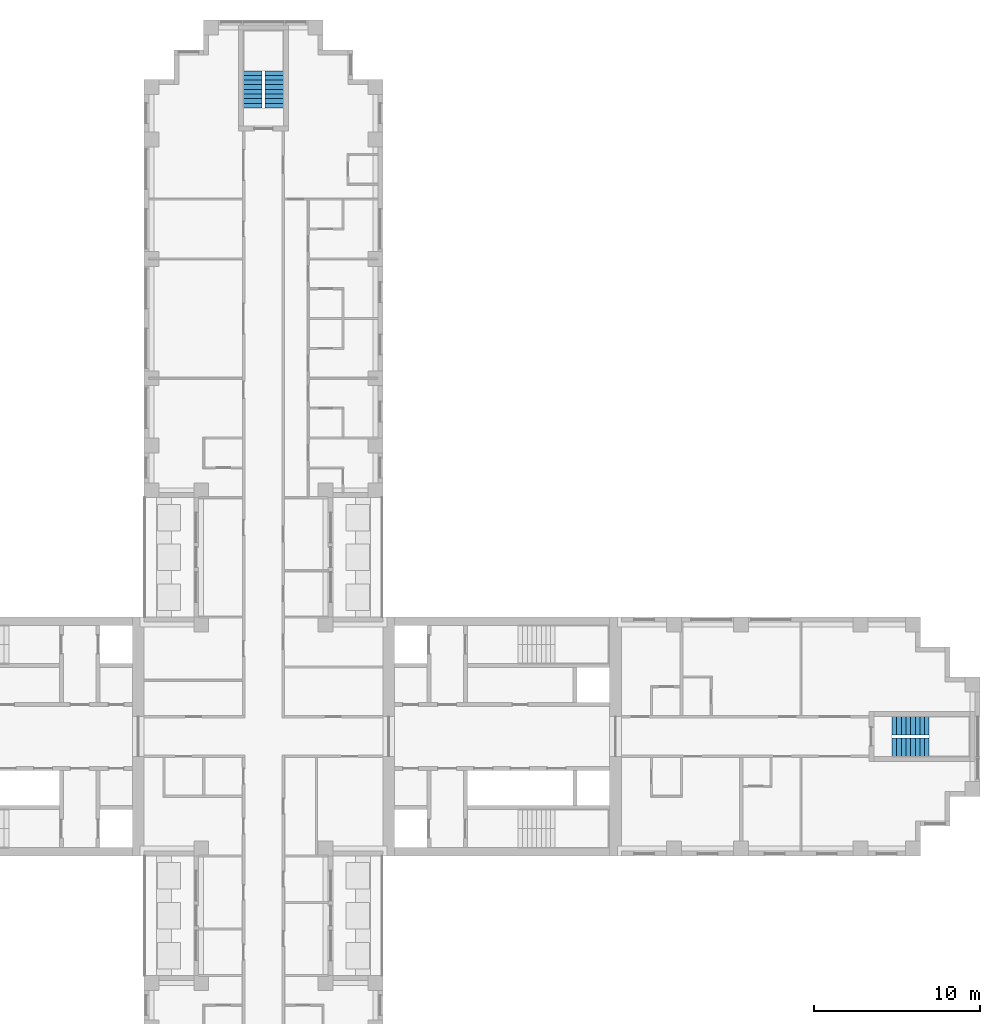
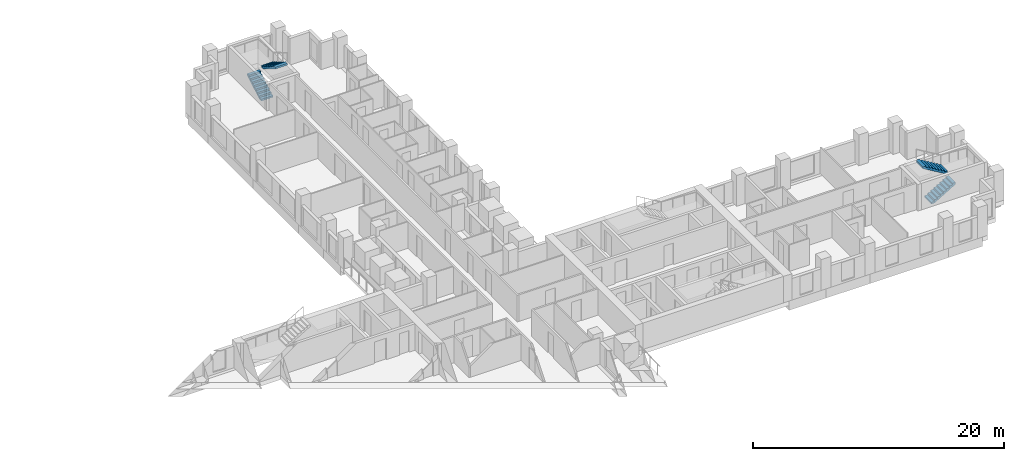
# One storey, part 13 of 15: 4 stair flights, 2 elements without a shape of their own.
"""IFC4 building model written with IfcOpenShell, lengths in metres."""

from ifc_helpers import new_model, si_unit, direction, frame, origin, place, context, subcontext, project, spatial, polyline, outline, extrude, material, type_object, element, aggregate, save


model = new_model("IFC4")

# Units and contexts
model_context = context("Model", 3, precision=1e-05, world=origin(), true_north=direction((0.0, 1.0)))
body_context = subcontext(model_context, "Body", "Model", "MODEL_VIEW")
ifc_project = project(units=[si_unit("LENGTHUNIT", "METRE"), si_unit("AREAUNIT", "SQUARE_METRE"), si_unit("VOLUMEUNIT", "CUBIC_METRE"), si_unit("PLANEANGLEUNIT", "RADIAN"), si_unit("MASSUNIT", "GRAM", prefix="KILO")], contexts=[model_context])

# Site, building, storey
site_placement = place(None, origin())
site = spatial("IfcSite", under=ifc_project, at=site_placement, CompositionType="ELEMENT")
building_placement = place(site_placement, origin())
building = spatial("IfcBuilding", under=site, at=building_placement, Name="Fustian Cross Tower", CompositionType="ELEMENT")
storey_placement = place(building_placement, frame((0.0, 0.0, 38.699951171875)))
storey = spatial("IfcBuildingStorey", under=building, at=storey_placement, Name="L11", CompositionType="ELEMENT", Elevation=38.699951171875)

# Stair, stair flights
ifc_material_1 = material(Name="Concrete C50/60", Category="concrete")
stair_type = type_object("IfcStairType", Name="STAIR 1100 HALF TURN", PredefinedType="HALF_TURN_STAIR", material=ifc_material_1)
stair_1_placement = place(storey_placement, origin())
stair_1 = element("IfcStair", 1, at=stair_1_placement, inside=storey, type_object=stair_type, Name="Stair ST5", PredefinedType="HALF_TURN_STAIR")
ifc_material_2 = material(Name="Concrete C50/60", Category="concrete")
stair_flight_type = type_object("IfcStairFlightType", Name="STAIR FLIGHT 1100", PredefinedType="STRAIGHT", material=ifc_material_2)
stair_flight_1_placement = place(storey_placement, frame((-0.64990234375, 37.89990234375, 0.0), z_axis=(0.0, 0.0, 1.0), x_axis=(0.0, 1.0, 0.0)))
stair_flight_1 = element("IfcStairFlight", 2, at=stair_flight_1_placement, type_object=stair_flight_type, Name="ST5 flight 1", NumberOfRisers=9, NumberOfTreads=8, PredefinedType="STRAIGHT", RiserHeight=0.166666667, TreadLength=0.28, context=body_context, shape_type="SweptSolid", body=[
    extrude(outline(polyline([(0.0, 0.0), (0.0, 0.166748046875), (0.280029296875, 0.166748046875), (0.280029296875, 0.333251953125), (0.56005859375, 0.333251953125), (0.56005859375, 0.5), (0.840087890625, 0.5), (0.840087890625, 0.666748046875), (1.1201171875, 0.666748046875), (1.1201171875, 0.833251953125), (1.39990234375, 0.833251953125), (1.39990234375, 1.0), (1.679931640625, 1.0), (1.679931640625, 1.166748046875), (1.9599609375, 1.166748046875), (1.9599609375, 1.333251953125), (2.239990234375, 1.333251953125), (2.239990234375, 1.5), (2.239990234375, 1.158935546875), (0.29296875, 0.0), (0.0, 0.0)])), frame((0.0, 0.550048828125, 0.0), z_axis=(0.0, -1.0, 0.0), x_axis=(1.0, 0.0, 0.0)), (0.0, 0.0, 1.0), 1.10009765625),
])
stair_flight_2_placement = place(storey_placement, frame((0.64990234375, 40.139892578125, 1.5), z_axis=(0.0, 0.0, 1.0), x_axis=(0.0, -1.0, 0.0)))
stair_flight_2 = element("IfcStairFlight", 3, at=stair_flight_2_placement, type_object=stair_flight_type, Name="ST5 flight 2", NumberOfRisers=9, NumberOfTreads=8, PredefinedType="STRAIGHT", RiserHeight=0.166666667, TreadLength=0.28, context=body_context, shape_type="SweptSolid", body=[
    extrude(outline(polyline([(0.0, 0.0), (0.0, 0.166748046875), (0.280029296875, 0.166748046875), (0.280029296875, 0.333251953125), (0.56005859375, 0.333251953125), (0.56005859375, 0.5), (0.840087890625, 0.5), (0.840087890625, 0.666748046875), (1.1201171875, 0.666748046875), (1.1201171875, 0.833251953125), (1.39990234375, 0.833251953125), (1.39990234375, 1.0), (1.679931640625, 1.0), (1.679931640625, 1.166748046875), (1.9599609375, 1.166748046875), (1.9599609375, 1.333251953125), (2.239990234375, 1.333251953125), (2.239990234375, 1.5), (2.239990234375, 1.158935546875), (0.29296875, 0.0), (0.0, 0.0)])), frame((0.0, 0.550048828125, 0.0), z_axis=(0.0, -1.0, 0.0), x_axis=(1.0, 0.0, 0.0)), (0.0, 0.0, 1.0), 1.10009765625),
])
aggregate(stair_1, [stair_flight_1, stair_flight_2])

stair_2_placement = place(storey_placement, origin())
stair_2 = element("IfcStair", 4, at=stair_2_placement, inside=storey, type_object=stair_type, Name="Stair ST8", PredefinedType="HALF_TURN_STAIR")
stair_flight_3_placement = place(storey_placement, frame((37.89990234375, -0.64990234375, 0.0), z_axis=(0.0, 0.0, 1.0), x_axis=(1.0, 0.0, 0.0)))
stair_flight_3 = element("IfcStairFlight", 5, at=stair_flight_3_placement, type_object=stair_flight_type, Name="ST8 flight 1", NumberOfRisers=9, NumberOfTreads=8, PredefinedType="STRAIGHT", RiserHeight=0.166666667, TreadLength=0.28, context=body_context, shape_type="SweptSolid", body=[
    extrude(outline(polyline([(0.0, 0.0), (0.0, 0.166748046875), (0.280029296875, 0.166748046875), (0.280029296875, 0.333251953125), (0.56005859375, 0.333251953125), (0.56005859375, 0.5), (0.840087890625, 0.5), (0.840087890625, 0.666748046875), (1.1201171875, 0.666748046875), (1.1201171875, 0.833251953125), (1.39990234375, 0.833251953125), (1.39990234375, 1.0), (1.679931640625, 1.0), (1.679931640625, 1.166748046875), (1.9599609375, 1.166748046875), (1.9599609375, 1.333251953125), (2.239990234375, 1.333251953125), (2.239990234375, 1.5), (2.239990234375, 1.158935546875), (0.29296875, 0.0), (0.0, 0.0)])), frame((0.0, 0.550048828125, 0.0), z_axis=(0.0, -1.0, 0.0), x_axis=(1.0, 0.0, 0.0)), (0.0, 0.0, 1.0), 1.10009765625),
])
stair_flight_4_placement = place(storey_placement, frame((40.139892578125, 0.64990234375, 1.5), z_axis=(0.0, 0.0, 1.0), x_axis=(-1.0, 0.0, 0.0)))
stair_flight_4 = element("IfcStairFlight", 6, at=stair_flight_4_placement, type_object=stair_flight_type, Name="ST8 flight 2", NumberOfRisers=9, NumberOfTreads=8, PredefinedType="STRAIGHT", RiserHeight=0.166666667, TreadLength=0.28, context=body_context, shape_type="SweptSolid", body=[
    extrude(outline(polyline([(0.0, 0.0), (0.0, 0.166748046875), (0.280029296875, 0.166748046875), (0.280029296875, 0.333251953125), (0.56005859375, 0.333251953125), (0.56005859375, 0.5), (0.840087890625, 0.5), (0.840087890625, 0.666748046875), (1.1201171875, 0.666748046875), (1.1201171875, 0.833251953125), (1.39990234375, 0.833251953125), (1.39990234375, 1.0), (1.679931640625, 1.0), (1.679931640625, 1.166748046875), (1.9599609375, 1.166748046875), (1.9599609375, 1.333251953125), (2.239990234375, 1.333251953125), (2.239990234375, 1.5), (2.239990234375, 1.158935546875), (0.29296875, 0.0), (0.0, 0.0)])), frame((0.0, 0.550048828125, 0.0), z_axis=(0.0, -1.0, 0.0), x_axis=(1.0, 0.0, 0.0)), (0.0, 0.0, 1.0), 1.10009765625),
])
aggregate(stair_2, [stair_flight_3, stair_flight_4])

save(model, "model.ifc")
